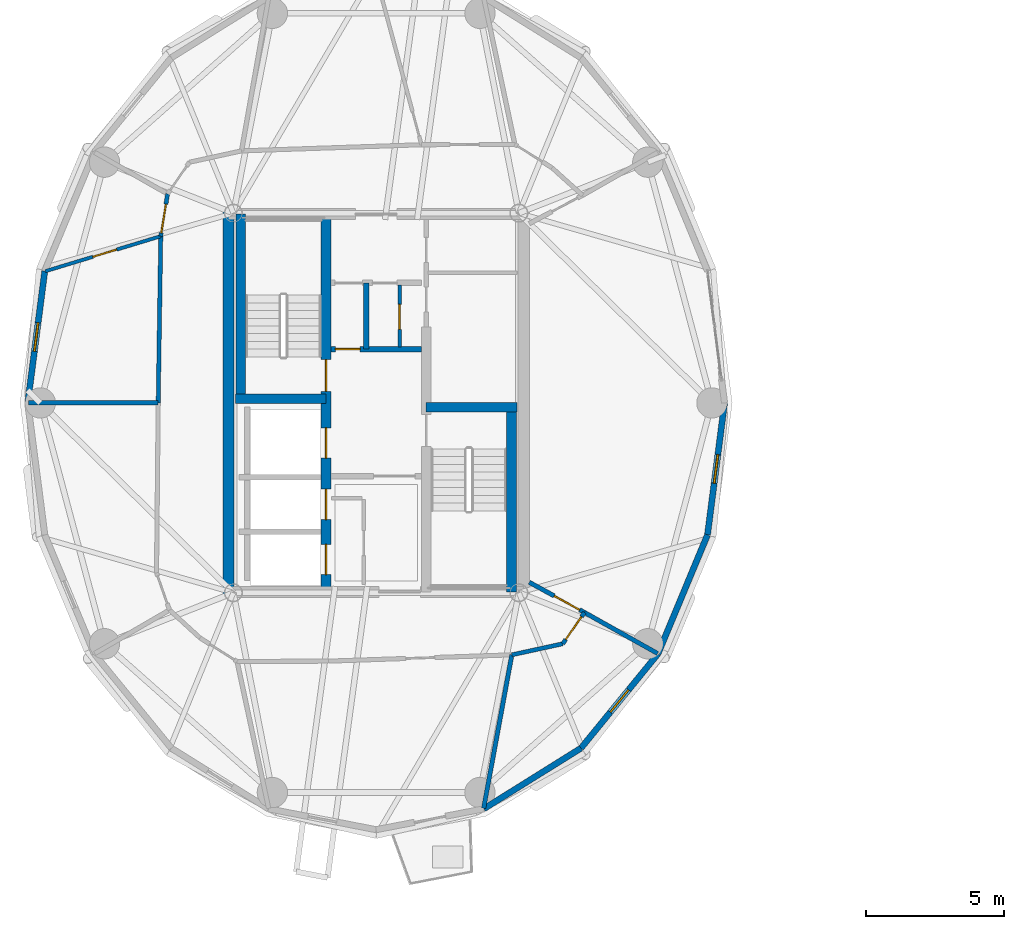
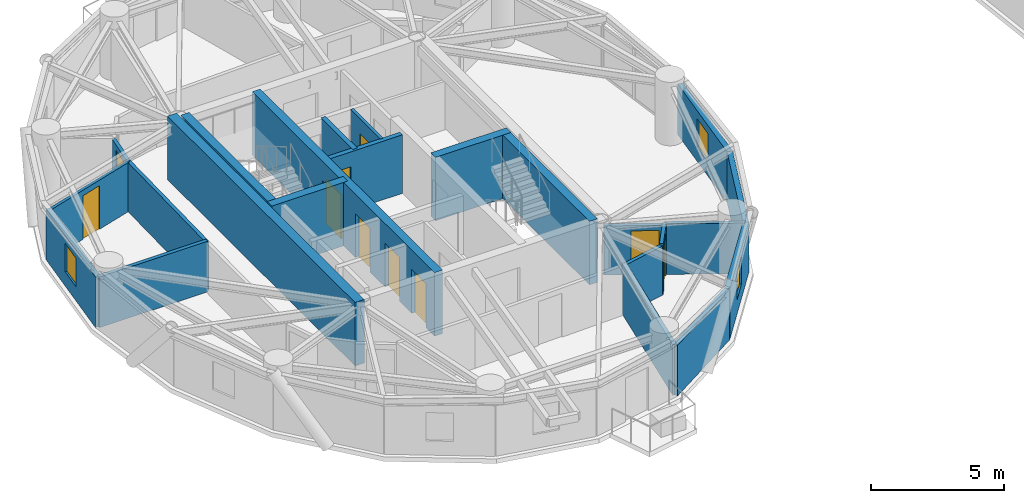
# One storey, part 9 of 17: 23 walls, 10 doors, 3 windows, 13 openings.
"""IFC4 building model written with IfcOpenShell, lengths in metres."""

import ifcopenshell
import ifcopenshell.guid

model = None  # the IFC model being written
_history = None  # IfcOwnerHistory: only IFC2X3 demands one
_inside = {}  # id of a spatial element -> (the spatial element, [elements in it])
_under = {}  # id of a project, library or spatial element -> (it, [spatial elements below it])
_declared = {}  # id of a project -> (the project, [libraries it declares])
_typed = {}  # id of a type object -> (the type object, [elements of that type])
_made_of = {}  # id of a material, layer set ... -> (it, [elements and type objects made of it])


def new_model(schema):
    """Start an empty IFC model of exactly this schema.

    Asked for "IFC4X3", IfcOpenShell would pick the latest addendum, in which some entities
    have other attributes; the version numbers below select the first issue.
    IFC2X3 requires an IfcOwnerHistory on every rooted entity: one is made here for all.
    """
    global model, _history
    if schema == "IFC4X3":
        model = ifcopenshell.file(schema_version=(4, 3, 0, 0))
    else:
        model = ifcopenshell.file(schema=schema)
    _inside.clear()
    _under.clear()
    _declared.clear()
    _typed.clear()
    _made_of.clear()
    _history = None
    if model.schema == "IFC2X3":
        org = make("IfcOrganization", Name="unknown")
        user = make(
            "IfcPersonAndOrganization",
            ThePerson=make("IfcPerson", FamilyName="unknown"),
            TheOrganization=org,
        )
        app = make(
            "IfcApplication",
            ApplicationDeveloper=org,
            Version="unknown",
            ApplicationFullName="unknown",
            ApplicationIdentifier="unknown",
        )
        _history = make(
            "IfcOwnerHistory",
            OwningUser=user,
            OwningApplication=app,
            ChangeAction="ADDED",
            CreationDate=0,
        )
    return model


def make(cls, **values):
    """One entity of the class cls with the attributes given. An attribute that is None is left unset."""
    return model.create_entity(
        cls, **{name: value for name, value in values.items() if value is not None}
    )


def rooted(cls, **values):
    """An entity with a GlobalId (a new one), such as an element, a storey or a relation."""
    return make(cls, GlobalId=ifcopenshell.guid.new(), OwnerHistory=_history, **values)


def si_unit(unit_type, name, prefix=None):
    """IfcSIUnit, for example si_unit("LENGTHUNIT", "METRE", prefix="MILLI")."""
    return make("IfcSIUnit", UnitType=unit_type, Prefix=prefix, Name=name)


def assignment(units):
    """IfcUnitAssignment: the units of a project."""
    return None if units is None else make("IfcUnitAssignment", Units=units)


def point(xyz):
    """IfcCartesianPoint."""
    return None if xyz is None else make("IfcCartesianPoint", Coordinates=xyz)


def direction(xyz):
    """IfcDirection."""
    return None if xyz is None else make("IfcDirection", DirectionRatios=xyz)


def frame(location, z_axis=None, x_axis=None):
    """IfcAxis2Placement3D, a coordinate frame: its origin and axes. An axis left out is left unset."""
    return make(
        "IfcAxis2Placement3D",
        Location=point(location),
        Axis=direction(z_axis),
        RefDirection=direction(x_axis),
    )


def frame_2d(location, x_axis=None):
    """IfcAxis2Placement2D, a coordinate frame in the plane: its origin and x axis."""
    return make(
        "IfcAxis2Placement2D", Location=point(location), RefDirection=direction(x_axis)
    )


def origin():
    """The frame at (0, 0, 0) with its axes left unset."""
    return frame((0.0, 0.0, 0.0))


def place(relative_to, where):
    """IfcLocalPlacement: puts the frame where relative to a parent placement (None: the world)."""
    return make(
        "IfcLocalPlacement", PlacementRelTo=relative_to, RelativePlacement=where
    )


def context(
    kind, dimensions, precision=None, world=None, true_north=None, identifier=None
):
    """IfcGeometricRepresentationContext, for example the 3D "Model" context."""
    return make(
        "IfcGeometricRepresentationContext",
        ContextIdentifier=identifier,
        ContextType=kind,
        CoordinateSpaceDimension=dimensions,
        Precision=precision,
        WorldCoordinateSystem=world,
        TrueNorth=true_north,
    )


def subcontext(parent, identifier, kind, view, scale=None):
    """IfcGeometricRepresentationSubContext, for example "Body" below "Model"."""
    return make(
        "IfcGeometricRepresentationSubContext",
        ContextIdentifier=identifier,
        ContextType=kind,
        ParentContext=parent,
        TargetScale=scale,
        TargetView=view,
    )


def project(units=None, contexts=None):
    """IfcProject with its units and contexts."""
    return rooted(
        "IfcProject",
        Name="project",
        RepresentationContexts=contexts,
        UnitsInContext=assignment(units),
    )


def spatial(cls, under=None, at=None, **own):
    """A site, building, storey or space (cls), placed at a placement, below another one or the project."""
    s = rooted(cls, ObjectPlacement=at, **own)
    if under is not None:
        _under.setdefault(under.id(), (under, []))[1].append(s)
    return s


def profile(cls, at=None, kind="AREA", **sizes):
    """A parametric profile (cls). Its sizes go by their IFC names, for example OverallWidth=200.0."""
    return make(cls, ProfileType=kind, Position=at, **sizes)


def rectangle(**sizes):
    """IfcRectangleProfileDef."""
    return profile("IfcRectangleProfileDef", **sizes)


def extrude(swept, where, along, depth):
    """IfcExtrudedAreaSolid: the profile swept, set in the frame where, extruded along a direction by depth."""
    return make(
        "IfcExtrudedAreaSolid",
        SweptArea=swept,
        Position=where,
        ExtrudedDirection=direction(along),
        Depth=depth,
    )


def shape(context_of_items, identifier, shape_type, items):
    """IfcShapeRepresentation: the items that make up one representation, for example the "Body"."""
    return make(
        "IfcShapeRepresentation",
        ContextOfItems=context_of_items,
        RepresentationIdentifier=identifier,
        RepresentationType=shape_type,
        Items=items,
    )


def source(mapping_origin, context_of_items, identifier, shape_type, items):
    """IfcRepresentationMap: a shape defined once, which mapped items show again and again."""
    return make(
        "IfcRepresentationMap",
        MappingOrigin=mapping_origin,
        MappedRepresentation=shape(context_of_items, identifier, shape_type, items),
    )


def transform(
    local_origin,
    x_axis=None,
    y_axis=None,
    z_axis=None,
    scale=None,
    scale2=None,
    scale3=None,
    uniform=True,
):
    """IfcCartesianTransformationOperator3D, or its non-uniform kind. x_axis, y_axis, z_axis: its Axis1, 2, 3."""
    if uniform:
        return make(
            "IfcCartesianTransformationOperator3D",
            Axis1=direction(x_axis),
            Axis2=direction(y_axis),
            LocalOrigin=point(local_origin),
            Scale=scale,
            Axis3=direction(z_axis),
        )
    return make(
        "IfcCartesianTransformationOperator3DnonUniform",
        Axis1=direction(x_axis),
        Axis2=direction(y_axis),
        LocalOrigin=point(local_origin),
        Scale=scale,
        Axis3=direction(z_axis),
        Scale2=scale2,
        Scale3=scale3,
    )


def mapped(mapping_source, mapping_target):
    """IfcMappedItem: shows the shape of a source again, moved by a transform."""
    return make(
        "IfcMappedItem", MappingSource=mapping_source, MappingTarget=mapping_target
    )


def material(Name=None, Category=None):
    """IfcMaterial."""
    return make("IfcMaterial", Name=Name, Category=Category)


def layer(
    of_material, thickness, ventilated=None, Name=None, Category=None, Priority=None
):
    """IfcMaterialLayer: one layer of a wall or slab, of a material (None: an air gap)."""
    return make(
        "IfcMaterialLayer",
        Material=of_material,
        LayerThickness=thickness,
        IsVentilated=ventilated,
        Name=Name,
        Category=Category,
        Priority=Priority,
    )


def layer_set(layers, Name=None):
    """IfcMaterialLayerSet."""
    return make("IfcMaterialLayerSet", MaterialLayers=layers, LayerSetName=Name)


def made_of(thing, what):
    """Note that an element or type object is made of a material, layer set ...; save() writes the relation."""
    if what is not None:
        _made_of.setdefault(what.id(), (what, []))[1].append(thing)
    return thing


def type_object(cls, material=None, **own):
    """A type object (cls), such as IfcWallType, which elements share."""
    return made_of(rooted(cls, **own), material)


def element(
    cls,
    number,
    at=None,
    inside=None,
    cuts=None,
    type_object=None,
    material=None,
    context=None,
    identifier="Body",
    shape_type=None,
    held_by="IfcProductDefinitionShape",
    body=None,
    shapes=None,
    **own,
):
    """One element of the class cls, such as IfcWall. Its Tag is "e" and its number.

    at: its placement. inside: the storey or other place that contains it. cuts: it is an
    opening in that element (IfcRelVoidsElement). A single representation is given by context,
    identifier, shape_type and body (its items); several are given by shapes. held_by: the class
    of the entity that holds the representations. save() writes the other relations.
    """
    e = rooted(cls, Tag="e%d" % number, ObjectPlacement=at, **own)
    if body is not None:
        shapes = [shape(context, identifier, shape_type, body)]
    if shapes is not None:
        e.Representation = make(held_by, Representations=shapes)
    if inside is not None:
        _inside.setdefault(inside.id(), (inside, []))[1].append(e)
    if cuts is not None:
        rooted(
            "IfcRelVoidsElement", RelatingBuildingElement=cuts, RelatedOpeningElement=e
        )
    if type_object is not None:
        _typed.setdefault(type_object.id(), (type_object, []))[1].append(e)
    return made_of(e, material)


def fill(opening, filler):
    """IfcRelFillsElement: the door or window that sits in an opening."""
    return rooted(
        "IfcRelFillsElement",
        RelatingOpeningElement=opening,
        RelatedBuildingElement=filler,
    )


def aggregate(whole, parts):
    """IfcRelAggregates: a whole, such as a stair, and the parts it consists of."""
    return rooted("IfcRelAggregates", RelatingObject=whole, RelatedObjects=parts)


def save(model, path):
    """Write the relations noted so far, then the file.

    IfcRelAggregates (storeys below a building ...), IfcRelContainedInSpatialStructure (elements
    in a storey), IfcRelDefinesByType, IfcRelAssociatesMaterial and IfcRelDeclares: one each for
    every whole, place, type object, material and project.
    """
    for whole, parts in _under.values():
        aggregate(whole, parts)
    for where, things in _inside.values():
        rooted(
            "IfcRelContainedInSpatialStructure",
            RelatedElements=things,
            RelatingStructure=where,
        )
    for kind, things in _typed.values():
        rooted("IfcRelDefinesByType", RelatedObjects=things, RelatingType=kind)
    for what, things in _made_of.values():
        rooted("IfcRelAssociatesMaterial", RelatedObjects=things, RelatingMaterial=what)
    for by, libraries in _declared.values():
        rooted("IfcRelDeclares", RelatingContext=by, RelatedDefinitions=libraries)
    model.write(path)


model = new_model("IFC4")

# Units and contexts
model_context = context("Model", 3, precision=1e-05, world=origin(), true_north=direction((0.0, 1.0)))
body_context = subcontext(model_context, "Body", "Model", "MODEL_VIEW")
ifc_project = project(units=[si_unit("LENGTHUNIT", "METRE"), si_unit("AREAUNIT", "SQUARE_METRE"), si_unit("VOLUMEUNIT", "CUBIC_METRE"), si_unit("PLANEANGLEUNIT", "RADIAN"), si_unit("MASSUNIT", "GRAM", prefix="KILO")], contexts=[model_context])

# Site, building, storey
site_placement = place(None, origin())
site = spatial("IfcSite", under=ifc_project, at=site_placement, CompositionType="ELEMENT")
building_placement = place(site_placement, origin())
building = spatial("IfcBuilding", under=site, at=building_placement, Name="Cununo Teusaquillo Station Towers", CompositionType="ELEMENT")
storey_placement = place(building_placement, frame((0.0, 0.0, 205.389892578125)))
storey = spatial("IfcBuildingStorey", under=building, at=storey_placement, Name="L65", CompositionType="ELEMENT", Elevation=205.389892578125)

# Wall, openings, doors
ifc_material_1 = material(Name="Concrete C50/60", Category="concrete")
ifc_layer_1 = layer(ifc_material_1, 0.35009765625)
ifc_layer_set_1 = layer_set([ifc_layer_1], Name="Concrete C50/60")
wall_type_1 = type_object("IfcWallType", Name="WL-CORE-350", PredefinedType="SHEAR", material=ifc_layer_set_1)
wall_1_placement = place(storey_placement, frame((14.68505859375, 17.64990234375, 0.0), z_axis=(0.0, 0.0, 1.0), x_axis=(0.0, 1.0, 0.0)))
wall_1 = element("IfcWall", 1, at=wall_1_placement, inside=storey, type_object=wall_type_1, Name="L65 Tower A Core Shear Wall IW", PredefinedType="SHEAR", context=body_context, shape_type="SweptSolid", body=[
    extrude(rectangle(XDim=13.7001953125, YDim=0.35009765625, at=frame_2d((6.85009765625, 0.0))), origin(), (0.0, 0.0, 1.0), 2.91015625),
])
shared_shape_1 = source(origin(), body_context, "Body", "SweptSolid", [
    extrude(rectangle(XDim=1.10009765625, YDim=2.014892578125, at=frame_2d((0.550048828125, 1.00732421875))), frame((0.0, 0.18505859375, 0.0), z_axis=(0.0, -1.0, 0.0), x_axis=(1.0, 0.0, 0.0)), (0.0, 0.0, 1.0), 0.3701171875),
])
opening_1_placement = place(wall_1_placement, frame((4.85009765625, 0.0, 0.0)))
opening_1 = element("IfcOpeningElement", 2, at=opening_1_placement, cuts=wall_1, Name="Opening LD-01", PredefinedType="OPENING", context=body_context, shape_type="MappedRepresentation", body=[
    mapped(shared_shape_1, transform((0.0, 0.0, 0.0), x_axis=(1.0, 0.0, 0.0), y_axis=(0.0, 1.0, 0.0), z_axis=(0.0, 0.0, 1.0), scale=1.0)),
])
opening_2_placement = place(wall_1_placement, frame((0.625, 0.0, 0.0)))
opening_2 = element("IfcOpeningElement", 3, at=opening_2_placement, cuts=wall_1, Name="Opening LD-01", PredefinedType="OPENING", context=body_context, shape_type="MappedRepresentation", body=[
    mapped(shared_shape_1, transform((0.0, 0.0, 0.0), x_axis=(1.0, 0.0, 0.0), y_axis=(0.0, 1.0, 0.0), z_axis=(0.0, 0.0, 1.0), scale=1.0)),
])
opening_3_placement = place(wall_1_placement, frame((2.625, 0.0, 0.0)))
opening_3 = element("IfcOpeningElement", 4, at=opening_3_placement, cuts=wall_1, Name="Opening LD-01", PredefinedType="OPENING", context=body_context, shape_type="MappedRepresentation", body=[
    mapped(shared_shape_1, transform((0.0, 0.0, 0.0), x_axis=(1.0, 0.0, 0.0), y_axis=(0.0, 1.0, 0.0), z_axis=(0.0, 0.0, 1.0), scale=1.0)),
])
shared_shape_2 = source(origin(), body_context, "Body", "SweptSolid", [
    extrude(rectangle(XDim=1.14990234375, YDim=2.02001953125, at=frame_2d((0.574951171875, 1.010009765625))), frame((0.0, 0.18505859375, 0.0), z_axis=(0.0, -1.0, 0.0), x_axis=(1.0, 0.0, 0.0)), (0.0, 0.0, 1.0), 0.3701171875),
])
opening_4_placement = place(wall_1_placement, frame((7.27001953125, 0.0, 0.0)))
opening_4 = element("IfcOpeningElement", 5, at=opening_4_placement, cuts=wall_1, Name="Opening D-ST1", PredefinedType="OPENING", context=body_context, shape_type="MappedRepresentation", body=[
    mapped(shared_shape_2, transform((0.0, 0.0, 0.0), x_axis=(1.0, 0.0, 0.0), y_axis=(0.0, 1.0, 0.0), z_axis=(0.0, 0.0, 1.0), scale=1.0)),
])
ifc_material_2 = material(Name="Galvanised fire-rated hollow steel door assembly", Category="steel")
door_type_1 = type_object("IfcDoorType", Name="DR-LIFT-1100", OperationType="SLIDING_TO_LEFT", PredefinedType="DOOR", material=ifc_material_2)
shared_shape_3 = source(origin(), body_context, "Body", "SweptSolid", [
    extrude(rectangle(XDim=1.10009765625, YDim=2.014892578125, at=frame_2d((0.550048828125, 1.00732421875))), frame((0.0, 0.02490234375, 0.0), z_axis=(0.0, -1.0, 0.0), x_axis=(1.0, 0.0, 0.0)), (0.0, 0.0, 1.0), 0.050048828125),
])
door_1_placement = place(opening_1_placement, origin())
door_1 = element("IfcDoor", 6, at=door_1_placement, inside=storey, type_object=door_type_1, Name="L65 Lift FL-T1 Sliding Landing Door", OperationType="SLIDING_TO_RIGHT", OverallHeight=2.014892578125, OverallWidth=1.10009765625, PredefinedType="DOOR", context=body_context, shape_type="MappedRepresentation", body=[
    mapped(shared_shape_3, transform((0.0, 0.0, 0.0), x_axis=(1.0, 0.0, 0.0), y_axis=(0.0, 1.0, 0.0), z_axis=(0.0, 0.0, 1.0), scale=1.0)),
])
fill(opening_1, door_1)
door_2_placement = place(opening_2_placement, origin())
door_2 = element("IfcDoor", 7, at=door_2_placement, inside=storey, type_object=door_type_1, Name="L65 Lift PL-T1-H1 Sliding Landing Door", OperationType="SLIDING_TO_RIGHT", OverallHeight=2.014892578125, OverallWidth=1.10009765625, PredefinedType="DOOR", context=body_context, shape_type="MappedRepresentation", body=[
    mapped(shared_shape_3, transform((0.0, 0.0, 0.0), x_axis=(1.0, 0.0, 0.0), y_axis=(0.0, 1.0, 0.0), z_axis=(0.0, 0.0, 1.0), scale=1.0)),
])
fill(opening_2, door_2)
door_3_placement = place(opening_3_placement, origin())
door_3 = element("IfcDoor", 8, at=door_3_placement, inside=storey, type_object=door_type_1, Name="L65 Lift PL-T1-H2 Sliding Landing Door", OperationType="SLIDING_TO_LEFT", OverallHeight=2.014892578125, OverallWidth=1.10009765625, PredefinedType="DOOR", context=body_context, shape_type="MappedRepresentation", body=[
    mapped(shared_shape_3, transform((0.0, 0.0, 0.0), x_axis=(1.0, 0.0, 0.0), y_axis=(0.0, 1.0, 0.0), z_axis=(0.0, 0.0, 1.0), scale=1.0)),
])
fill(opening_3, door_3)
ifc_material_3 = material(Name="Galvanised fire-rated hollow steel door assembly", Category="steel")
door_type_2 = type_object("IfcDoorType", Name="DR-STAIR-1150", OperationType="NOTDEFINED", PredefinedType="DOOR", material=ifc_material_3)
shared_shape_4 = source(origin(), body_context, "Body", "SweptSolid", [
    extrude(rectangle(XDim=1.14990234375, YDim=2.02001953125, at=frame_2d((0.574951171875, 1.010009765625))), frame((0.0, 0.02490234375, 0.0), z_axis=(0.0, -1.0, 0.0), x_axis=(1.0, 0.0, 0.0)), (0.0, 0.0, 1.0), 0.050048828125),
])
door_4_placement = place(opening_4_placement, origin())
door_4 = element("IfcDoor", 9, at=door_4_placement, inside=storey, type_object=door_type_2, Name="L65 Tower A Exit Stair 1 Fire Door", OperationType="SINGLE_SWING_RIGHT", OverallHeight=2.02001953125, OverallWidth=1.14990234375, PredefinedType="DOOR", context=body_context, shape_type="MappedRepresentation", body=[
    mapped(shared_shape_4, transform((0.0, 0.0, 0.0), x_axis=(1.0, 0.0, 0.0), y_axis=(0.0, 1.0, 0.0), z_axis=(0.0, 0.0, 1.0), scale=1.0)),
])
fill(opening_4, door_4)

# Walls
wall_2_placement = place(storey_placement, frame((11.594970703125, 24.655029296875, 0.0), z_axis=(0.0, 0.0, 1.0), x_axis=(0.0, 1.0, 0.0)))
element("IfcWall", 10, at=wall_2_placement, inside=storey, type_object=wall_type_1, Name="L65 Tower A Core Shear Wall ST1W", PredefinedType="SHEAR", context=body_context, shape_type="SweptSolid", body=[
    extrude(rectangle(XDim=6.695068359375, YDim=0.35009765625, at=frame_2d((3.34765625, 0.0))), origin(), (0.0, 0.0, 1.0), 2.91015625),
])
wall_3_placement = place(storey_placement, frame((11.39990234375, 24.655029296875, 0.0), z_axis=(0.0, 0.0, 1.0), x_axis=(1.0, 0.0, 0.0)))
element("IfcWall", 11, at=wall_3_placement, inside=storey, type_object=wall_type_1, Name="L65 Tower A Core Shear Wall ST1S", PredefinedType="SHEAR", context=body_context, shape_type="SweptSolid", body=[
    extrude(rectangle(XDim=3.28515625, YDim=0.35009765625, at=frame_2d((1.642578125, 0.0))), origin(), (0.0, 0.0, 1.0), 2.91015625),
])
wall_4_placement = place(storey_placement, frame((21.405029296875, 17.64990234375, 0.0), z_axis=(0.0, 0.0, 1.0), x_axis=(0.0, 1.0, 0.0)))
element("IfcWall", 12, at=wall_4_placement, inside=storey, type_object=wall_type_1, Name="L65 Tower A Core Shear Wall ST2E", PredefinedType="SHEAR", context=body_context, shape_type="SweptSolid", body=[
    extrude(rectangle(XDim=6.695068359375, YDim=0.35009765625, at=frame_2d((3.34765625, 0.0))), origin(), (0.0, 0.0, 1.0), 2.91015625),
])
wall_5_placement = place(storey_placement, frame((18.31494140625, 24.344970703125, 0.0), z_axis=(0.0, 0.0, 1.0), x_axis=(1.0, 0.0, 0.0)))
element("IfcWall", 13, at=wall_5_placement, inside=storey, type_object=wall_type_1, Name="L65 Tower A Core Shear Wall ST2N", PredefinedType="SHEAR", context=body_context, shape_type="SweptSolid", body=[
    extrude(rectangle(XDim=3.28515625, YDim=0.35009765625, at=frame_2d((1.642578125, 0.0))), origin(), (0.0, 0.0, 1.0), 2.91015625),
])
ifc_material_4 = material(Name="Concrete C50/60", Category="concrete")
ifc_layer_2 = layer(ifc_material_4, 0.39990234375)
ifc_layer_set_2 = layer_set([ifc_layer_2], Name="Concrete C50/60")
wall_type_2 = type_object("IfcWallType", Name="WL-CORE-400", PredefinedType="SHEAR", material=ifc_layer_set_2)
wall_6_placement = place(storey_placement, frame((11.14990234375, 17.449951171875, 0.0), z_axis=(0.0, 0.0, 1.0), x_axis=(0.0, 1.0, 0.0)))
element("IfcWall", 14, at=wall_6_placement, inside=storey, type_object=wall_type_2, Name="L65 Tower A Core Shear Wall W", PredefinedType="SHEAR", context=body_context, shape_type="SweptSolid", body=[
    extrude(rectangle(XDim=14.10009765625, YDim=0.39990234375, at=frame_2d((7.050048828125, 0.0))), origin(), (0.0, 0.0, 1.0), 2.91015625),
])

# Wall, opening, window
ifc_material_5 = material(Name="Precast concrete C40/50", Category="concrete")
ifc_layer_3 = layer(ifc_material_5, 0.219970703125)
ifc_layer_set_3 = layer_set([ifc_layer_3], Name="Precast concrete C40/50")
wall_type_3 = type_object("IfcWallType", Name="WL-EXT-220", PredefinedType="SOLIDWALL", material=ifc_layer_set_3)
wall_7_placement = place(storey_placement, frame((3.8701171875, 24.5, 0.0), z_axis=(0.0, 0.0, 1.0), x_axis=(0.128241318541, 0.991742993027, 0.0)))
wall_7 = element("IfcWall", 15, at=wall_7_placement, inside=storey, type_object=wall_type_3, Name="L65 Tower A Exterior Facade Wall C09", PredefinedType="SOLIDWALL", context=body_context, shape_type="SweptSolid", body=[
    extrude(rectangle(XDim=4.8203125, YDim=0.219970703125, at=frame_2d((2.41015625, 0.0))), origin(), (0.0, 0.0, 1.0), 2.322021484375),
])
shared_shape_5 = source(origin(), body_context, "Body", "SweptSolid", [
    extrude(rectangle(XDim=1.050048828125, YDim=1.300048828125, at=frame_2d((0.52490234375, 0.64990234375))), frame((0.0, 0.119873046875, 0.0), z_axis=(0.0, -1.0, 0.0), x_axis=(1.0, 0.0, 0.0)), (0.0, 0.0, 1.0), 0.239990234375),
])
opening_5_placement = place(wall_7_placement, frame((1.885009765625, 0.0, 0.64990234375)))
opening_5 = element("IfcOpeningElement", 16, at=opening_5_placement, cuts=wall_7, Name="Opening WN-04", PredefinedType="OPENING", context=body_context, shape_type="MappedRepresentation", body=[
    mapped(shared_shape_5, transform((0.0, 0.0, 0.0), x_axis=(1.0, 0.0, 0.0), y_axis=(0.0, 1.0, 0.0), z_axis=(0.0, 0.0, 1.0), scale=1.0)),
])
ifc_material_6 = material(Name="Operable acoustic tinted low-E double glazing", Category="glass")
window_type = type_object("IfcWindowType", Name="WIN-BAL-1050", PartitioningType="SINGLE_PANEL", PredefinedType="WINDOW", material=ifc_material_6)
shared_shape_6 = source(origin(), body_context, "Body", "SweptSolid", [
    extrude(rectangle(XDim=1.050048828125, YDim=1.300048828125, at=frame_2d((0.52490234375, 0.64990234375))), frame((0.0, 0.030029296875, 0.0), z_axis=(0.0, -1.0, 0.0), x_axis=(1.0, 0.0, 0.0)), (0.0, 0.0, 1.0), 0.06005859375),
])
window_1_placement = place(opening_5_placement, origin())
window_1 = element("IfcWindow", 17, at=window_1_placement, inside=storey, type_object=window_type, Name="L65 Tower A Facade Window C09", OverallHeight=1.300048828125, OverallWidth=1.050048828125, PartitioningType="SINGLE_PANEL", PredefinedType="WINDOW", context=body_context, shape_type="MappedRepresentation", body=[
    mapped(shared_shape_6, transform((0.0, 0.0, 0.0), x_axis=(1.0, 0.0, 0.0), y_axis=(0.0, 1.0, 0.0), z_axis=(0.0, 0.0, 1.0), scale=1.0)),
])
fill(opening_5, window_1)

# Wall
wall_8_placement = place(storey_placement, frame((23.923583984375, 11.984619140625, 0.0), z_axis=(0.0, 0.0, 1.0), x_axis=(-0.848318713376, -0.529485939886, 0.0)))
element("IfcWall", 18, at=wall_8_placement, inside=storey, type_object=wall_type_3, Name="L65 Tower A Exterior Facade Wall C16", PredefinedType="SOLIDWALL", context=body_context, shape_type="SweptSolid", body=[
    extrude(rectangle(XDim=4.150390625, YDim=0.219970703125, at=frame_2d((2.0751953125, 0.0))), origin(), (0.0, 0.0, 1.0), 2.322021484375),
])

# Wall, opening, window
wall_9_placement = place(storey_placement, frame((26.718017578125, 15.406982421875, 0.0), z_axis=(0.0, 0.0, 1.0), x_axis=(-0.632467166636, -0.774587169483, 0.0)))
wall_9 = element("IfcWall", 19, at=wall_9_placement, inside=storey, type_object=wall_type_3, Name="L65 Tower A Exterior Facade Wall C17", PredefinedType="SOLIDWALL", context=body_context, shape_type="SweptSolid", body=[
    extrude(rectangle(XDim=4.418212890625, YDim=0.219970703125, at=frame_2d((2.208984375, 0.0))), origin(), (0.0, 0.0, 1.0), 2.322021484375),
])
opening_6_placement = place(wall_9_placement, frame((1.68408203125, 0.0, 0.64990234375)))
opening_6 = element("IfcOpeningElement", 20, at=opening_6_placement, cuts=wall_9, Name="Opening WN-04", PredefinedType="OPENING", context=body_context, shape_type="MappedRepresentation", body=[
    mapped(shared_shape_5, transform((0.0, 0.0, 0.0), x_axis=(1.0, 0.0, 0.0), y_axis=(0.0, 1.0, 0.0), z_axis=(0.0, 0.0, 1.0), scale=1.0)),
])
window_2_placement = place(opening_6_placement, origin())
window_2 = element("IfcWindow", 21, at=window_2_placement, inside=storey, type_object=window_type, Name="L65 Tower A Facade Window C17", OverallHeight=1.300048828125, OverallWidth=1.050048828125, PartitioningType="SINGLE_PANEL", PredefinedType="WINDOW", context=body_context, shape_type="MappedRepresentation", body=[
    mapped(shared_shape_6, transform((0.0, 0.0, 0.0), x_axis=(1.0, 0.0, 0.0), y_axis=(0.0, 1.0, 0.0), z_axis=(0.0, 0.0, 1.0), scale=1.0)),
])
fill(opening_6, window_2)

# Wall
wall_10_placement = place(storey_placement, frame((28.51171875, 19.719482421875, 0.0), z_axis=(0.0, 0.0, 1.0), x_axis=(-0.384036305194, -0.923317993052, 0.0)))
element("IfcWall", 22, at=wall_10_placement, inside=storey, type_object=wall_type_3, Name="L65 Tower A Exterior Facade Wall C18", PredefinedType="SOLIDWALL", context=body_context, shape_type="SweptSolid", body=[
    extrude(rectangle(XDim=4.670654296875, YDim=0.219970703125, at=frame_2d((2.33544921875, 0.0))), origin(), (0.0, 0.0, 1.0), 2.322021484375),
])

# Wall, opening, window
wall_11_placement = place(storey_placement, frame((29.1298828125, 24.5, 0.0), z_axis=(0.0, 0.0, 1.0), x_axis=(-0.128241318541, -0.991742993027, 0.0)))
wall_11 = element("IfcWall", 23, at=wall_11_placement, inside=storey, type_object=wall_type_3, Name="L65 Tower A Exterior Facade Wall C19", PredefinedType="SOLIDWALL", context=body_context, shape_type="SweptSolid", body=[
    extrude(rectangle(XDim=4.8203125, YDim=0.219970703125, at=frame_2d((2.41015625, 0.0))), origin(), (0.0, 0.0, 1.0), 2.322021484375),
])
opening_7_placement = place(wall_11_placement, frame((1.885009765625, 0.0, 0.64990234375)))
opening_7 = element("IfcOpeningElement", 24, at=opening_7_placement, cuts=wall_11, Name="Opening WN-04", PredefinedType="OPENING", context=body_context, shape_type="MappedRepresentation", body=[
    mapped(shared_shape_5, transform((0.0, 0.0, 0.0), x_axis=(1.0, 0.0, 0.0), y_axis=(0.0, 1.0, 0.0), z_axis=(0.0, 0.0, 1.0), scale=1.0)),
])
window_3_placement = place(opening_7_placement, origin())
window_3 = element("IfcWindow", 25, at=window_3_placement, inside=storey, type_object=window_type, Name="L65 Tower A Facade Window C19", OverallHeight=1.300048828125, OverallWidth=1.050048828125, PartitioningType="SINGLE_PANEL", PredefinedType="WINDOW", context=body_context, shape_type="MappedRepresentation", body=[
    mapped(shared_shape_6, transform((0.0, 0.0, 0.0), x_axis=(1.0, 0.0, 0.0), y_axis=(0.0, 1.0, 0.0), z_axis=(0.0, 0.0, 1.0), scale=1.0)),
])
fill(opening_7, window_3)

# Wall, opening, door
ifc_material_7 = material(Name="Fire-rated gypsum plasterboard partition assembly", Category="gypsum")
ifc_layer_4 = layer(ifc_material_7, 0.125)
ifc_layer_set_4 = layer_set([ifc_layer_4], Name="Fire-rated gypsum plasterboard partition assembly")
wall_type_4 = type_object("IfcWallType", Name="WL-PART-125", PredefinedType="PARTITIONING", material=ifc_layer_set_4)
wall_12_placement = place(storey_placement, frame((17.35009765625, 26.52001953125, 0.0), z_axis=(0.0, 0.0, 1.0), x_axis=(0.0, 1.0, 0.0)))
wall_12 = element("IfcWall", 26, at=wall_12_placement, inside=storey, type_object=wall_type_4, Name="L65 Tower A Core Vertical Split Wall", PredefinedType="PARTITIONING", context=body_context, shape_type="SweptSolid", body=[
    extrude(rectangle(XDim=2.260009765625, YDim=0.125, at=frame_2d((1.1298828125, 0.0))), origin(), (0.0, 0.0, 1.0), 2.68505859375),
])
shared_shape_7 = source(origin(), body_context, "Body", "SweptSolid", [
    extrude(rectangle(XDim=0.89990234375, YDim=2.0048828125, at=frame_2d((0.449951171875, 1.00244140625))), frame((0.0, 0.072509765625, 0.0), z_axis=(0.0, -1.0, 0.0), x_axis=(1.0, 0.0, 0.0)), (0.0, 0.0, 1.0), 0.14501953125),
])
opening_8_placement = place(wall_12_placement, frame((0.64990234375, 0.0, 0.0)))
opening_8 = element("IfcOpeningElement", 27, at=opening_8_placement, cuts=wall_12, Name="Opening D-SR1", PredefinedType="OPENING", context=body_context, shape_type="MappedRepresentation", body=[
    mapped(shared_shape_7, transform((0.0, 0.0, 0.0), x_axis=(1.0, 0.0, 0.0), y_axis=(0.0, 1.0, 0.0), z_axis=(0.0, 0.0, 1.0), scale=1.0)),
])
ifc_material_8 = material(Name="Galvanised fire-rated hollow steel door assembly", Category="steel")
door_type_3 = type_object("IfcDoorType", Name="DR-STORE-900", OperationType="NOTDEFINED", PredefinedType="DOOR", material=ifc_material_8)
shared_shape_8 = source(origin(), body_context, "Body", "SweptSolid", [
    extrude(rectangle(XDim=0.89990234375, YDim=2.0048828125, at=frame_2d((0.449951171875, 1.00244140625))), frame((0.0, 0.02490234375, 0.0), z_axis=(0.0, -1.0, 0.0), x_axis=(1.0, 0.0, 0.0)), (0.0, 0.0, 1.0), 0.050048828125),
])
door_5_placement = place(opening_8_placement, origin())
door_5 = element("IfcDoor", 28, at=door_5_placement, inside=storey, type_object=door_type_3, Name="L65 Tower A Core Electrical Room Door", OperationType="SINGLE_SWING_RIGHT", OverallHeight=2.0048828125, OverallWidth=0.89990234375, PredefinedType="DOOR", context=body_context, shape_type="MappedRepresentation", body=[
    mapped(shared_shape_8, transform((0.0, 0.0, 0.0), x_axis=(1.0, 0.0, 0.0), y_axis=(0.0, 1.0, 0.0), z_axis=(0.0, 0.0, 1.0), scale=1.0)),
])
fill(opening_8, door_5)

wall_13_placement = place(storey_placement, frame((8.692626953125, 30.544189453125, 0.0), z_axis=(0.0, 0.0, 1.0), x_axis=(-0.956933754187, -0.290306372814, 0.0)))
wall_13 = element("IfcWall", 29, at=wall_13_placement, inside=storey, type_object=wall_type_4, Name="L65 Tower A Visiting Envoy Briefing Room Suite Subdividing Wall", PredefinedType="PARTITIONING", context=body_context, shape_type="SweptSolid", body=[
    extrude(rectangle(XDim=4.3740234375, YDim=0.125, at=frame_2d((2.18701171875, 0.0))), origin(), (0.0, 0.0, 1.0), 2.255126953125),
])
opening_9_placement = place(wall_13_placement, frame((1.673828125, 0.0, 0.0)))
opening_9 = element("IfcOpeningElement", 30, at=opening_9_placement, cuts=wall_13, Name="Opening D-IN1", PredefinedType="OPENING", context=body_context, shape_type="MappedRepresentation", body=[
    mapped(shared_shape_7, transform((0.0, 0.0, 0.0), x_axis=(1.0, 0.0, 0.0), y_axis=(0.0, 1.0, 0.0), z_axis=(0.0, 0.0, 1.0), scale=1.0)),
])
ifc_material_9 = material(Name="Acoustic solid-core hardwood leaf assembly", Category="wood")
door_type_4 = type_object("IfcDoorType", Name="DR-INT-900", OperationType="NOTDEFINED", PredefinedType="DOOR", material=ifc_material_9)
door_6_placement = place(opening_9_placement, origin())
door_6 = element("IfcDoor", 31, at=door_6_placement, inside=storey, type_object=door_type_4, Name="L65 Tower A Visiting Envoy Briefing Room Suite Connecting Door", OperationType="SINGLE_SWING_RIGHT", OverallHeight=2.0048828125, OverallWidth=0.89990234375, PredefinedType="DOOR", context=body_context, shape_type="MappedRepresentation", body=[
    mapped(shared_shape_8, transform((0.0, 0.0, 0.0), x_axis=(1.0, 0.0, 0.0), y_axis=(0.0, 1.0, 0.0), z_axis=(0.0, 0.0, 1.0), scale=1.0)),
])
fill(opening_9, door_6)

ifc_material_10 = material(Name="Fire-rated gypsum plasterboard partition assembly", Category="gypsum")
ifc_layer_5 = layer(ifc_material_10, 0.14990234375)
ifc_layer_set_5 = layer_set([ifc_layer_5], Name="Fire-rated gypsum plasterboard partition assembly")
wall_type_5 = type_object("IfcWallType", Name="WL-PART-150", PredefinedType="PARTITIONING", material=ifc_layer_set_5)
wall_14_placement = place(storey_placement, frame((8.93994140625, 32.078369140625, 0.0), z_axis=(0.0, 0.0, 1.0), x_axis=(-0.159148467753, -0.98725466077, 0.0)))
wall_14 = element("IfcWall", 32, at=wall_14_placement, inside=storey, type_object=wall_type_5, Name="L65 Tower A Corridor Ring Wall C08", PredefinedType="PARTITIONING", context=body_context, shape_type="SweptSolid", body=[
    extrude(rectangle(XDim=1.553955078125, YDim=0.14990234375, at=frame_2d((0.77685546875, 0.0))), origin(), (0.0, 0.0, 1.0), 2.255126953125),
])
shared_shape_9 = source(origin(), body_context, "Body", "SweptSolid", [
    extrude(rectangle(XDim=1.050048828125, YDim=2.014892578125, at=frame_2d((0.52490234375, 1.00732421875))), frame((0.0, 0.0849609375, 0.0), z_axis=(0.0, -1.0, 0.0), x_axis=(1.0, 0.0, 0.0)), (0.0, 0.0, 1.0), 0.169921875),
])
opening_10_placement = place(wall_14_placement, frame((0.384033203125, 0.0, 0.0)))
opening_10 = element("IfcOpeningElement", 33, at=opening_10_placement, cuts=wall_14, Name="Opening D-SU1", PredefinedType="OPENING", context=body_context, shape_type="MappedRepresentation", body=[
    mapped(shared_shape_9, transform((0.0, 0.0, 0.0), x_axis=(1.0, 0.0, 0.0), y_axis=(0.0, 1.0, 0.0), z_axis=(0.0, 0.0, 1.0), scale=1.0)),
])
ifc_material_11 = material(Name="Acoustic solid-core hardwood leaf assembly", Category="wood")
door_type_5 = type_object("IfcDoorType", Name="DR-SUITE-1050", OperationType="NOTDEFINED", PredefinedType="DOOR", material=ifc_material_11)
shared_shape_10 = source(origin(), body_context, "Body", "SweptSolid", [
    extrude(rectangle(XDim=1.050048828125, YDim=2.014892578125, at=frame_2d((0.52490234375, 1.00732421875))), frame((0.0, 0.02490234375, 0.0), z_axis=(0.0, -1.0, 0.0), x_axis=(1.0, 0.0, 0.0)), (0.0, 0.0, 1.0), 0.050048828125),
])
door_7_placement = place(opening_10_placement, origin())
door_7 = element("IfcDoor", 34, at=door_7_placement, inside=storey, type_object=door_type_5, Name="L65 Tower A Visiting Envoy Briefing Room Entrance Door", OperationType="SINGLE_SWING_LEFT", OverallHeight=2.014892578125, OverallWidth=1.050048828125, PredefinedType="DOOR", context=body_context, shape_type="MappedRepresentation", body=[
    mapped(shared_shape_10, transform((0.0, 0.0, 0.0), x_axis=(1.0, 0.0, 0.0), y_axis=(0.0, 1.0, 0.0), z_axis=(0.0, 0.0, 1.0), scale=1.0)),
])
fill(opening_10, door_7)

# Walls
wall_15_placement = place(storey_placement, frame((8.692626953125, 30.544189453125, 0.0), z_axis=(0.0, 0.0, 1.0), x_axis=(-0.015307007986, -0.99988284089, 0.0)))
element("IfcWall", 35, at=wall_15_placement, inside=storey, type_object=wall_type_5, Name="L65 Tower A Corridor Ring Wall C09", PredefinedType="PARTITIONING", context=body_context, shape_type="SweptSolid", body=[
    extrude(rectangle(XDim=6.044921875, YDim=0.14990234375, at=frame_2d((3.0224609375, 0.0))), origin(), (0.0, 0.0, 1.0), 2.255126953125),
])
wall_16_placement = place(storey_placement, frame((21.418701171875, 15.369140625, 0.0), z_axis=(0.0, 0.0, 1.0), x_axis=(0.977192701953, 0.212354475464, 0.0)))
element("IfcWall", 36, at=wall_16_placement, inside=storey, type_object=wall_type_5, Name="L65 Tower A Corridor Ring Wall C16", PredefinedType="PARTITIONING", context=body_context, shape_type="SweptSolid", body=[
    extrude(rectangle(XDim=1.8876953125, YDim=0.14990234375, at=frame_2d((0.94384765625, 0.0))), origin(), (0.0, 0.0, 1.0), 2.255126953125),
])

# Wall, opening, door
wall_17_placement = place(storey_placement, frame((23.263427734375, 15.77001953125, 0.0), z_axis=(0.0, 0.0, 1.0), x_axis=(0.570743456919, 0.821128434768, 0.0)))
wall_17 = element("IfcWall", 37, at=wall_17_placement, inside=storey, type_object=wall_type_5, Name="L65 Tower A Corridor Ring Wall C17", PredefinedType="PARTITIONING", context=body_context, shape_type="SweptSolid", body=[
    extrude(rectangle(XDim=1.381591796875, YDim=0.14990234375, at=frame_2d((0.69091796875, 0.0))), origin(), (0.0, 0.0, 1.0), 2.322021484375),
])
shared_shape_11 = source(origin(), body_context, "Body", "SweptSolid", [
    extrude(rectangle(XDim=1.0, YDim=2.014892578125, at=frame_2d((0.5, 1.00732421875))), frame((0.0, 0.0849609375, 0.0), z_axis=(0.0, -1.0, 0.0), x_axis=(1.0, 0.0, 0.0)), (0.0, 0.0, 1.0), 0.169921875),
])
opening_11_placement = place(wall_17_placement, frame((0.19091796875, 0.0, 0.0)))
opening_11 = element("IfcOpeningElement", 38, at=opening_11_placement, cuts=wall_17, Name="Opening D-AC1", PredefinedType="OPENING", context=body_context, shape_type="MappedRepresentation", body=[
    mapped(shared_shape_11, transform((0.0, 0.0, 0.0), x_axis=(1.0, 0.0, 0.0), y_axis=(0.0, 1.0, 0.0), z_axis=(0.0, 0.0, 1.0), scale=1.0)),
])
ifc_material_12 = material(Name="Acoustic solid-core hardwood leaf assembly", Category="wood")
door_type_6 = type_object("IfcDoorType", Name="DR-ACC-1000", OperationType="NOTDEFINED", PredefinedType="DOOR", material=ifc_material_12)
shared_shape_12 = source(origin(), body_context, "Body", "SweptSolid", [
    extrude(rectangle(XDim=1.0, YDim=2.014892578125, at=frame_2d((0.5, 1.00732421875))), frame((0.0, 0.02490234375, 0.0), z_axis=(0.0, -1.0, 0.0), x_axis=(1.0, 0.0, 0.0)), (0.0, 0.0, 1.0), 0.050048828125),
])
door_8_placement = place(opening_11_placement, origin())
door_8 = element("IfcDoor", 39, at=door_8_placement, inside=storey, type_object=door_type_6, Name="L65 Tower A Public Accessible Restroom WC Entrance Door", OperationType="SINGLE_SWING_RIGHT", OverallHeight=2.014892578125, OverallWidth=1.0, PredefinedType="DOOR", context=body_context, shape_type="MappedRepresentation", body=[
    mapped(shared_shape_12, transform((0.0, 0.0, 0.0), x_axis=(1.0, 0.0, 0.0), y_axis=(0.0, 1.0, 0.0), z_axis=(0.0, 0.0, 1.0), scale=1.0)),
])
fill(opening_11, door_8)

# Walls
ifc_material_13 = material(Name="Fire-rated gypsum plasterboard partition assembly", Category="gypsum")
ifc_layer_6 = layer(ifc_material_13, 0.159912109375)
ifc_layer_set_6 = layer_set([ifc_layer_6], Name="Fire-rated gypsum plasterboard partition assembly")
wall_type_6 = type_object("IfcWallType", Name="WL-PART-160", PredefinedType="PARTITIONING", material=ifc_layer_set_6)
wall_18_placement = place(storey_placement, frame((8.60009765625, 24.5, 0.0), z_axis=(0.0, 0.0, 1.0), x_axis=(-1.0, 0.0, 0.0)))
element("IfcWall", 40, at=wall_18_placement, inside=storey, type_object=wall_type_6, Name="L65 Tower A Radial Suite Partition R05", PredefinedType="PARTITIONING", context=body_context, shape_type="SweptSolid", body=[
    extrude(rectangle(XDim=4.710205078125, YDim=0.159912109375, at=frame_2d((2.35498046875, 0.0))), origin(), (0.0, 0.0, 1.0), 2.322021484375),
])
wall_19_placement = place(storey_placement, frame((21.418701171875, 15.369140625, 0.0), z_axis=(0.0, 0.0, 1.0), x_axis=(-0.180685606423, -0.98354090491, 0.0)))
element("IfcWall", 41, at=wall_19_placement, inside=storey, type_object=wall_type_6, Name="L65 Tower A Radial Suite Partition R08", PredefinedType="PARTITIONING", context=body_context, shape_type="SweptSolid", body=[
    extrude(rectangle(XDim=5.656005859375, YDim=0.159912109375, at=frame_2d((2.828125, 0.0))), origin(), (0.0, 0.0, 1.0), 2.322021484375),
])
wall_20_placement = place(storey_placement, frame((24.052001953125, 16.904541015625, 0.0), z_axis=(0.0, 0.0, 1.0), x_axis=(0.872220814965, -0.489112308106, 0.0)))
element("IfcWall", 42, at=wall_20_placement, inside=storey, type_object=wall_type_6, Name="L65 Tower A Radial Suite Partition R09", PredefinedType="PARTITIONING", context=body_context, shape_type="SweptSolid", body=[
    extrude(rectangle(XDim=3.037841796875, YDim=0.159912109375, at=frame_2d((1.51904296875, 0.0))), origin(), (0.0, 0.0, 1.0), 2.322021484375),
])

# Wall, opening, door
wall_21_placement = place(storey_placement, frame((22.050048828125, 18.0, 0.0), z_axis=(0.0, 0.0, 1.0), x_axis=(0.877252891813, -0.480028503118, 0.0)))
wall_21 = element("IfcWall", 43, at=wall_21_placement, inside=storey, type_object=wall_type_6, Name="L65 Tower A East Salon Corridor Portal Wall SE", PredefinedType="PARTITIONING", context=body_context, shape_type="SweptSolid", body=[
    extrude(rectangle(XDim=2.281982421875, YDim=0.159912109375, at=frame_2d((1.14111328125, 0.0))), origin(), (0.0, 0.0, 1.0), 2.255126953125),
])
shared_shape_13 = source(origin(), body_context, "Body", "SweptSolid", [
    extrude(rectangle(XDim=1.050048828125, YDim=2.014892578125, at=frame_2d((0.52490234375, 1.00732421875))), frame((0.0, 0.08984375, 0.0), z_axis=(0.0, -1.0, 0.0), x_axis=(1.0, 0.0, 0.0)), (0.0, 0.0, 1.0), 0.179931640625),
])
opening_12_placement = place(wall_21_placement, frame((1.031982421875, 0.0, 0.0)))
opening_12 = element("IfcOpeningElement", 44, at=opening_12_placement, cuts=wall_21, Name="Opening D-SU1", PredefinedType="OPENING", context=body_context, shape_type="MappedRepresentation", body=[
    mapped(shared_shape_13, transform((0.0, 0.0, 0.0), x_axis=(1.0, 0.0, 0.0), y_axis=(0.0, 1.0, 0.0), z_axis=(0.0, 0.0, 1.0), scale=1.0)),
])
door_9_placement = place(opening_12_placement, origin())
door_9 = element("IfcDoor", 45, at=door_9_placement, inside=storey, type_object=door_type_5, Name="L65 Tower A East Panorama Sky Salon Door SE", OperationType="SINGLE_SWING_RIGHT", OverallHeight=2.014892578125, OverallWidth=1.050048828125, PredefinedType="DOOR", context=body_context, shape_type="MappedRepresentation", body=[
    mapped(shared_shape_10, transform((0.0, 0.0, 0.0), x_axis=(1.0, 0.0, 0.0), y_axis=(0.0, 1.0, 0.0), z_axis=(0.0, 0.0, 1.0), scale=1.0)),
])
fill(opening_12, door_9)

ifc_material_14 = material(Name="Fire-rated gypsum plasterboard partition assembly", Category="gypsum")
ifc_layer_7 = layer(ifc_material_14, 0.199951171875)
ifc_layer_set_7 = layer_set([ifc_layer_7], Name="Fire-rated gypsum plasterboard partition assembly")
wall_type_7 = type_object("IfcWallType", Name="WL-PART-200", PredefinedType="PARTITIONING", material=ifc_layer_set_7)
wall_22_placement = place(storey_placement, frame((14.860107421875, 26.449951171875, 0.0), z_axis=(0.0, 0.0, 1.0), x_axis=(1.0, 0.0, 0.0)))
wall_22 = element("IfcWall", 46, at=wall_22_placement, inside=storey, type_object=wall_type_7, Name="L65 Tower A Firefighting Lift Lobby North Fire Wall", PredefinedType="PARTITIONING", context=body_context, shape_type="SweptSolid", body=[
    extrude(rectangle(XDim=3.27978515625, YDim=0.199951171875, at=frame_2d((1.639892578125, 0.0))), origin(), (0.0, 0.0, 1.0), 2.68505859375),
])
shared_shape_14 = source(origin(), body_context, "Body", "SweptSolid", [
    extrude(rectangle(XDim=0.89990234375, YDim=2.0048828125, at=frame_2d((0.449951171875, 1.00244140625))), frame((0.0, 0.10986328125, 0.0), z_axis=(0.0, -1.0, 0.0), x_axis=(1.0, 0.0, 0.0)), (0.0, 0.0, 1.0), 0.219970703125),
])
opening_13_placement = place(wall_22_placement, frame((0.159912109375, 0.0, 0.0)))
opening_13 = element("IfcOpeningElement", 47, at=opening_13_placement, cuts=wall_22, Name="Opening D-SR1", PredefinedType="OPENING", context=body_context, shape_type="MappedRepresentation", body=[
    mapped(shared_shape_14, transform((0.0, 0.0, 0.0), x_axis=(1.0, 0.0, 0.0), y_axis=(0.0, 1.0, 0.0), z_axis=(0.0, 0.0, 1.0), scale=1.0)),
])
door_10_placement = place(opening_13_placement, origin())
door_10 = element("IfcDoor", 48, at=door_10_placement, inside=storey, type_object=door_type_3, Name="L65 Tower A Stair 1 Protected Vestibule South Door", OperationType="SINGLE_SWING_RIGHT", OverallHeight=2.0048828125, OverallWidth=0.89990234375, PredefinedType="DOOR", context=body_context, shape_type="MappedRepresentation", body=[
    mapped(shared_shape_8, transform((0.0, 0.0, 0.0), x_axis=(1.0, 0.0, 0.0), y_axis=(0.0, 1.0, 0.0), z_axis=(0.0, 0.0, 1.0), scale=1.0)),
])
fill(opening_13, door_10)

# Wall
wall_23_placement = place(storey_placement, frame((16.14990234375, 26.449951171875, 0.0), z_axis=(0.0, 0.0, 1.0), x_axis=(0.0, 1.0, 0.0)))
element("IfcWall", 49, at=wall_23_placement, inside=storey, type_object=wall_type_7, Name="L65 Tower A Stair 1 Vestibule Partition Wall", PredefinedType="PARTITIONING", context=body_context, shape_type="SweptSolid", body=[
    extrude(rectangle(XDim=2.400146484375, YDim=0.199951171875, at=frame_2d((1.2001953125, 0.0))), origin(), (0.0, 0.0, 1.0), 2.68505859375),
])

save(model, "model.ifc")
